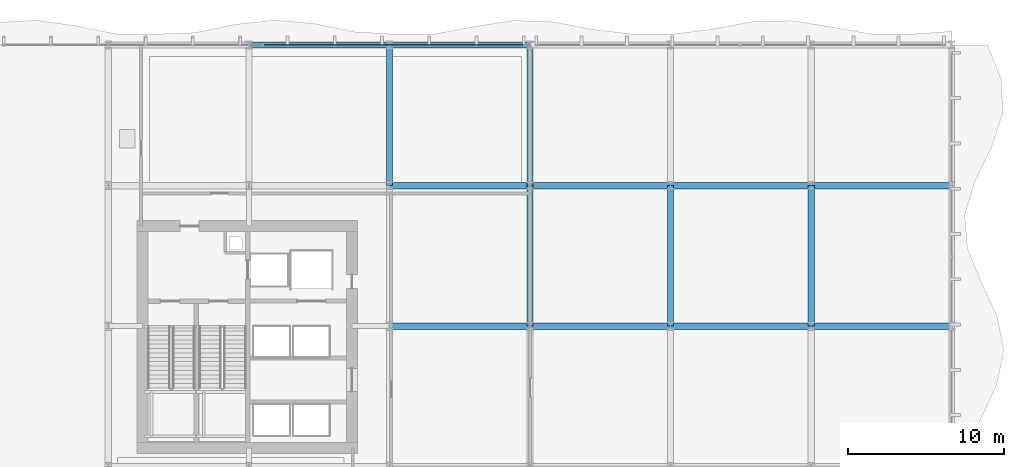
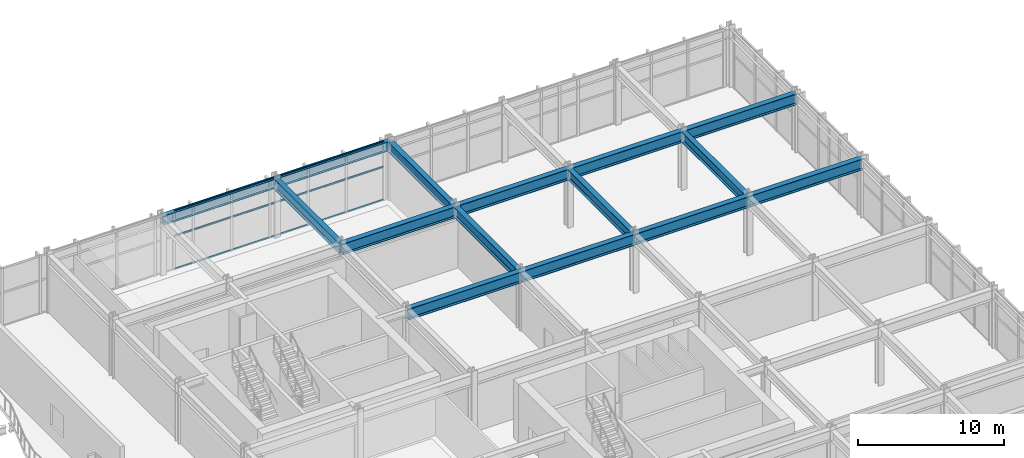
# One storey, part 13 of 33: 15 beams, 3 members, 1 element without a shape of its own.
"""IFC4 building model written with IfcOpenShell, lengths in metres."""

from ifc_helpers import new_model, si_unit, direction, frame, origin, origin_2d, place, context, subcontext, project, spatial, hollow_rectangle, i_section, extrude, material, layer, layer_set, material_profile, profile_set, type_object, element, aggregate, save


model = new_model("IFC4")

# Units and contexts
model_context = context("Model", 3, precision=1e-05, world=origin(), true_north=direction((0.0, 1.0)))
body_context = subcontext(model_context, "Body", "Model", "MODEL_VIEW")
ifc_project = project(units=[si_unit("LENGTHUNIT", "METRE"), si_unit("AREAUNIT", "SQUARE_METRE"), si_unit("VOLUMEUNIT", "CUBIC_METRE"), si_unit("PLANEANGLEUNIT", "RADIAN"), si_unit("MASSUNIT", "GRAM", prefix="KILO")], contexts=[model_context])

# Site, building, storey
site_placement = place(None, origin())
site = spatial("IfcSite", under=ifc_project, at=site_placement, CompositionType="ELEMENT")
building_placement = place(site_placement, origin())
building = spatial("IfcBuilding", under=site, at=building_placement, Name="Solvaryn Broadcast Tower", CompositionType="ELEMENT")
storey_placement = place(building_placement, frame((0.0, 0.0, 5.800048828125)))
storey = spatial("IfcBuildingStorey", under=building, at=storey_placement, Name="L01", CompositionType="ELEMENT", Elevation=5.800048828125)

# Beams
ifc_material_1 = material(Name="Steel ASTM A992 Grade 50", Category="steel")
ifc_material_profile_1 = material_profile(ifc_material_1, i_section(OverallWidth=0.41796875, OverallDepth=0.927001953125, WebThickness=0.019287109375, FlangeThickness=0.031982421875, FilletRadius=0.02392578125, at=origin_2d()))
ifc_profile_set_1 = profile_set([ifc_material_profile_1], Name="Steel ASTM A992 Grade 50")
beam_type_1 = type_object("IfcBeamType", Name="BM-G2-W36X231", PredefinedType="BEAM", material=ifc_profile_set_1)
for number, where, z_axis, x_axis, name in (
    (1, (27.0, 36.0, 4.41650390625), (1.0, 0.0, 0.0), (0.0, 1.0, 0.0), "L01 Primary Beam X (27-36 @ Y=36)"),
    (2, (36.0, 36.0, 4.41650390625), (1.0, 0.0, 0.0), (0.0, 1.0, 0.0), "L01 Primary Beam X (36-45 @ Y=36)"),
    (3, (45.0, 36.0, 4.41650390625), (1.0, 0.0, 0.0), (0.0, 1.0, 0.0), "L01 Primary Beam X (45-54 @ Y=36)"),
    (4, (54.0, 36.0, 4.41650390625), (1.0, 0.0, 0.0), (0.0, 1.0, 0.0), "L01 Primary Beam X (54-63 @ Y=36)"),
    (5, (27.0, 45.0, 4.41650390625), (1.0, 0.0, 0.0), (0.0, 1.0, 0.0), "L01 Primary Beam X (27-36 @ Y=45)"),
    (6, (36.0, 45.0, 4.41650390625), (1.0, 0.0, 0.0), (0.0, 1.0, 0.0), "L01 Primary Beam X (36-45 @ Y=45)"),
    (7, (45.0, 45.0, 4.41650390625), (1.0, 0.0, 0.0), (0.0, 1.0, 0.0), "L01 Primary Beam X (45-54 @ Y=45)"),
    (8, (54.0, 45.0, 4.41650390625), (1.0, 0.0, 0.0), (0.0, 1.0, 0.0), "L01 Primary Beam X (54-63 @ Y=45)"),
):
    element("IfcBeam", number, at=place(storey_placement, frame(where, z_axis=z_axis, x_axis=x_axis)), inside=storey, type_object=beam_type_1, Name=name, PredefinedType="BEAM", context=body_context, shape_type="SweptSolid", body=[
        extrude(i_section(OverallWidth=0.41796875, OverallDepth=0.927001953125, WebThickness=0.019287109375, FlangeThickness=0.031982421875, FilletRadius=0.02392578125, at=origin_2d()), origin(), (0.0, 0.0, 1.0), 9.0),
    ])
ifc_material_2 = material(Name="Steel ASTM A992 Grade 50", Category="steel")
ifc_material_profile_2 = material_profile(ifc_material_2, i_section(OverallWidth=0.39990234375, OverallDepth=0.85498046875, WebThickness=0.018310546875, FlangeThickness=0.029296875, FilletRadius=0.02001953125, at=origin_2d()))
ifc_profile_set_2 = profile_set([ifc_material_profile_2], Name="Steel ASTM A992 Grade 50")
beam_type_2 = type_object("IfcBeamType", Name="BM-G3-W33X201", PredefinedType="BEAM", material=ifc_profile_set_2)
for number, where, z_axis, x_axis, name in (
    (9, (27.0, 45.0, 4.452392578125), (0.0, 1.0, 0.0), (-1.0, 0.0, 0.0), "L01 Primary Beam Y (45-54 @ X=27)"),
    (10, (36.0, 36.0, 4.452392578125), (0.0, 1.0, 0.0), (-1.0, 0.0, 0.0), "L01 Primary Beam Y (36-45 @ X=36)"),
    (11, (36.0, 45.0, 4.452392578125), (0.0, 1.0, 0.0), (-1.0, 0.0, 0.0), "L01 Primary Beam Y (45-54 @ X=36)"),
    (12, (45.0, 36.0, 4.452392578125), (0.0, 1.0, 0.0), (-1.0, 0.0, 0.0), "L01 Primary Beam Y (36-45 @ X=45)"),
    (13, (54.0, 36.0, 4.452392578125), (0.0, 1.0, 0.0), (-1.0, 0.0, 0.0), "L01 Primary Beam Y (36-45 @ X=54)"),
):
    element("IfcBeam", number, at=place(storey_placement, frame(where, z_axis=z_axis, x_axis=x_axis)), inside=storey, type_object=beam_type_2, Name=name, PredefinedType="BEAM", context=body_context, shape_type="SweptSolid", body=[
        extrude(i_section(OverallWidth=0.39990234375, OverallDepth=0.85498046875, WebThickness=0.018310546875, FlangeThickness=0.029296875, FilletRadius=0.02001953125, at=origin_2d()), origin(), (0.0, 0.0, 1.0), 9.0),
    ])
ifc_material_3 = material(Name="Steel ASTM A992 Grade 50", Category="steel")
ifc_material_profile_3 = material_profile(ifc_material_3, i_section(OverallWidth=0.381103515625, OverallDepth=0.77294921875, WebThickness=0.0166015625, FlangeThickness=0.027099609375, FilletRadius=0.01806640625, at=origin_2d()))
ifc_profile_set_3 = profile_set([ifc_material_profile_3], Name="Steel ASTM A992 Grade 50")
beam_type_3 = type_object("IfcBeamType", Name="BM-SP1-W30X173", PredefinedType="USERDEFINED", material=ifc_profile_set_3)
for number, where, z_axis, x_axis, name in (
    (14, (18.0, 54.0, 4.493408203125), (1.0, 0.0, 0.0), (0.0, 1.0, 0.0), "L01 Spandrel Beam X (18-27 @ Y=54)"),
    (15, (27.0, 54.0, 4.493408203125), (1.0, 0.0, 0.0), (0.0, 1.0, 0.0), "L01 Spandrel Beam X (27-36 @ Y=54)"),
):
    element("IfcBeam", number, at=place(storey_placement, frame(where, z_axis=z_axis, x_axis=x_axis)), inside=storey, type_object=beam_type_3, Name=name, ObjectType="SPANDREL", PredefinedType="USERDEFINED", context=body_context, shape_type="SweptSolid", body=[
        extrude(i_section(OverallWidth=0.381103515625, OverallDepth=0.77294921875, WebThickness=0.0166015625, FlangeThickness=0.027099609375, FilletRadius=0.01806640625, at=origin_2d()), origin(), (0.0, 0.0, 1.0), 9.0),
    ])

# Curtain wall, members
ifc_material_4 = material(Name="Aluminium and Terracotta Unitised Curtain Wall", Category="masonry")
ifc_layer = layer(ifc_material_4, 0.219970703125)
ifc_layer_set = layer_set([ifc_layer], Name="CW-SYS1-PODIUM")
curtain_wall_type = type_object("IfcCurtainWallType", Name="CW-SYS1-PODIUM", PredefinedType="NOTDEFINED", material=ifc_layer_set)
curtain_wall_placement = place(storey_placement, origin())
curtain_wall = element("IfcCurtainWall", 16, at=curtain_wall_placement, inside=storey, type_object=curtain_wall_type, Name="L01 Podium Curtain Wall N1", PredefinedType="NOTDEFINED")
ifc_material_5 = material(Name="Anodised Aluminium 6063-T6", Category="aluminium")
ifc_material_profile_4 = material_profile(ifc_material_5, hollow_rectangle(XDim=0.06494140625, YDim=0.14990234375, WallThickness=0.00390625, InnerFilletRadius=0.00390625, OuterFilletRadius=0.008056640625, at=origin_2d()))
ifc_profile_set_4 = profile_set([ifc_material_profile_4], Name="Anodised Aluminium 6063-T6")
member_type = type_object("IfcMemberType", Name="CW-TRN-150", PredefinedType="USERDEFINED", material=ifc_profile_set_4)
member_1_placement = place(storey_placement, frame((18.97998046875, 54.0, 0.030029296875), z_axis=(1.0, 0.0, 0.0), x_axis=(0.0, 1.0, 0.0)))
member_1 = element("IfcMember", 17, at=member_1_placement, type_object=member_type, Name="CWS1 transom 2.1", ObjectType="TRANSOM", PredefinedType="USERDEFINED", context=body_context, shape_type="SweptSolid", body=[
    extrude(hollow_rectangle(XDim=0.06494140625, YDim=0.14990234375, WallThickness=0.00390625, InnerFilletRadius=0.00390625, OuterFilletRadius=0.008056640625, at=origin_2d()), origin(), (0.0, 0.0, 1.0), 16.56005859375),
])
member_2_placement = place(storey_placement, frame((18.97998046875, 54.0, 2.800048828125), z_axis=(1.0, 0.0, 0.0), x_axis=(0.0, 1.0, 0.0)))
member_2 = element("IfcMember", 18, at=member_2_placement, type_object=member_type, Name="CWS1 transom 2.2", ObjectType="TRANSOM", PredefinedType="USERDEFINED", context=body_context, shape_type="SweptSolid", body=[
    extrude(hollow_rectangle(XDim=0.06494140625, YDim=0.14990234375, WallThickness=0.00390625, InnerFilletRadius=0.00390625, OuterFilletRadius=0.008056640625, at=origin_2d()), origin(), (0.0, 0.0, 1.0), 16.56005859375),
])
member_3_placement = place(storey_placement, frame((18.97998046875, 54.0, 4.849853515625), z_axis=(1.0, 0.0, 0.0), x_axis=(0.0, 1.0, 0.0)))
member_3 = element("IfcMember", 19, at=member_3_placement, type_object=member_type, Name="CWS1 transom 2.3", ObjectType="TRANSOM", PredefinedType="USERDEFINED", context=body_context, shape_type="SweptSolid", body=[
    extrude(hollow_rectangle(XDim=0.06494140625, YDim=0.14990234375, WallThickness=0.00390625, InnerFilletRadius=0.00390625, OuterFilletRadius=0.008056640625, at=origin_2d()), origin(), (0.0, 0.0, 1.0), 16.56005859375),
])
aggregate(curtain_wall, [member_1, member_2, member_3])

save(model, "model.ifc")
